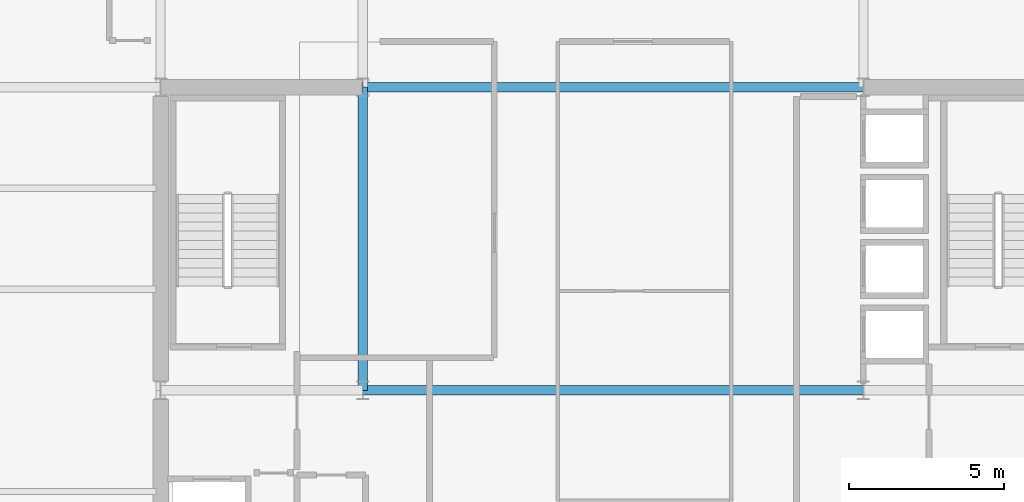
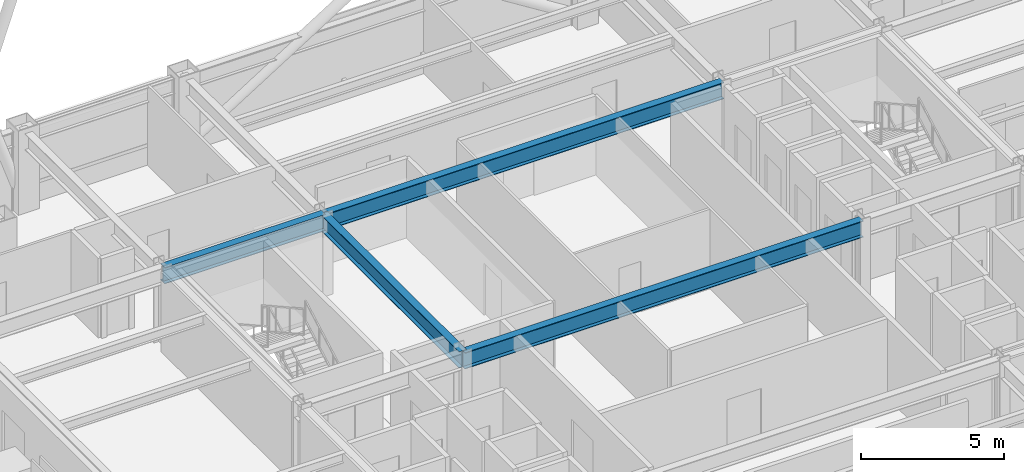
# One storey, part 10 of 32: 4 beams.
"""IFC4 building model written with IfcOpenShell, lengths in metres."""

from ifc_helpers import new_model, si_unit, direction, frame, origin, origin_2d, place, context, subcontext, project, spatial, i_section, extrude, material, material_profile, profile_set, type_object, element, save


model = new_model("IFC4")

# Units and contexts
model_context = context("Model", 3, precision=1e-05, world=origin(), true_north=direction((0.0, 1.0)))
body_context = subcontext(model_context, "Body", "Model", "MODEL_VIEW")
ifc_project = project(units=[si_unit("LENGTHUNIT", "METRE"), si_unit("AREAUNIT", "SQUARE_METRE"), si_unit("VOLUMEUNIT", "CUBIC_METRE"), si_unit("PLANEANGLEUNIT", "RADIAN"), si_unit("MASSUNIT", "GRAM", prefix="KILO")], contexts=[model_context])

# Site, building, storey
site_placement = place(None, origin())
site = spatial("IfcSite", under=ifc_project, at=site_placement, CompositionType="ELEMENT")
building_placement = place(site_placement, origin())
building = spatial("IfcBuilding", under=site, at=building_placement, Name="Brelmoor Portico Tower", CompositionType="ELEMENT")
storey_placement = place(building_placement, frame((0.0, 0.0, 109.800048828125)))
storey = spatial("IfcBuildingStorey", under=building, at=storey_placement, Name="L28", CompositionType="ELEMENT", Elevation=109.800048828125)

# Beams
ifc_material = material(Name="Steel Q355B", Category="steel")
ifc_material_profile = material_profile(ifc_material, i_section(OverallWidth=0.300048828125, OverallDepth=0.699951171875, WebThickness=0.012939453125, FlangeThickness=0.02392578125, at=origin_2d()), Name="HN 700x300x13x24")
ifc_profile_set = profile_set([ifc_material_profile], Name="Steel Q355B")
beam_type = type_object("IfcBeamType", Name="BM-PG-700", PredefinedType="BEAM", material=ifc_profile_set)
beam_1_placement = place(storey_placement, frame((-8.050048828125, 0.0, 3.050048828125), z_axis=(0.0, 1.0, 0.0), x_axis=(-1.0, 0.0, 0.0)))
element("IfcBeam", 1, at=beam_1_placement, inside=storey, type_object=beam_type, Name="L28 Primary Floor Girder PG-06", PredefinedType="BEAM", context=body_context, shape_type="SweptSolid", body=[
    extrude(i_section(OverallWidth=0.300048828125, OverallDepth=0.699951171875, WebThickness=0.012939453125, FlangeThickness=0.02392578125, at=origin_2d()), origin(), (0.0, 0.0, 1.0), 9.75),
])
beam_2_placement = place(storey_placement, frame((-8.050048828125, 0.0, 3.050048828125), z_axis=(1.0, 0.0, 0.0), x_axis=(0.0, 1.0, 0.0)))
element("IfcBeam", 2, at=beam_2_placement, inside=storey, type_object=beam_type, Name="L28 Primary Floor Girder PG-20", PredefinedType="BEAM", context=body_context, shape_type="SweptSolid", body=[
    extrude(i_section(OverallWidth=0.300048828125, OverallDepth=0.699951171875, WebThickness=0.012939453125, FlangeThickness=0.02392578125, at=origin_2d()), origin(), (0.0, 0.0, 1.0), 16.10009765625),
])
beam_3_placement = place(storey_placement, frame((-14.550048828125, 9.75, 3.050048828125), z_axis=(1.0, 0.0, 0.0), x_axis=(0.0, 1.0, 0.0)))
element("IfcBeam", 3, at=beam_3_placement, inside=storey, type_object=beam_type, Name="L28 Primary Floor Girder PG-23", PredefinedType="BEAM", context=body_context, shape_type="SweptSolid", body=[
    extrude(i_section(OverallWidth=0.300048828125, OverallDepth=0.699951171875, WebThickness=0.012939453125, FlangeThickness=0.02392578125, at=origin_2d()), origin(), (0.0, 0.0, 1.0), 6.5),
])
beam_4_placement = place(storey_placement, frame((-8.050048828125, 9.75, 3.050048828125), z_axis=(1.0, 0.0, 0.0), x_axis=(0.0, 1.0, 0.0)))
element("IfcBeam", 4, at=beam_4_placement, inside=storey, type_object=beam_type, Name="L28 Primary Floor Girder PG-24", PredefinedType="BEAM", context=body_context, shape_type="SweptSolid", body=[
    extrude(i_section(OverallWidth=0.300048828125, OverallDepth=0.699951171875, WebThickness=0.012939453125, FlangeThickness=0.02392578125, at=origin_2d()), origin(), (0.0, 0.0, 1.0), 16.10009765625),
])

save(model, "model.ifc")
